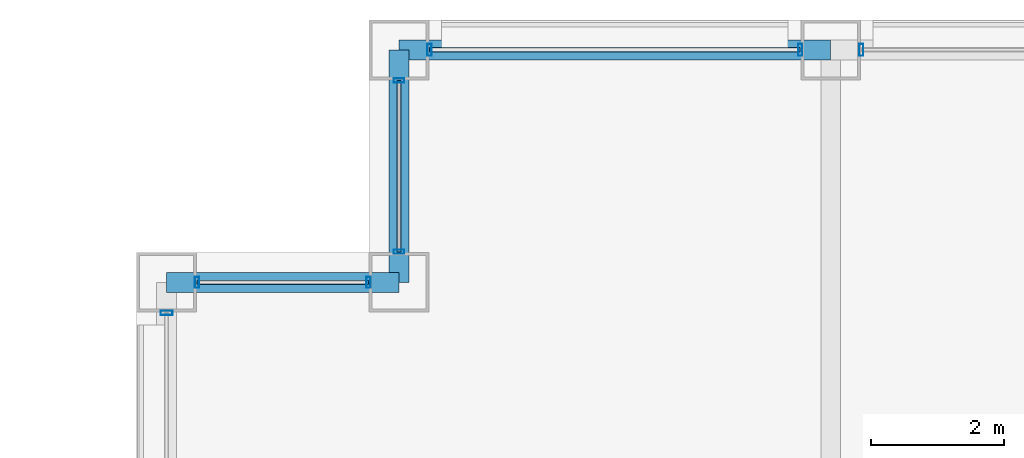
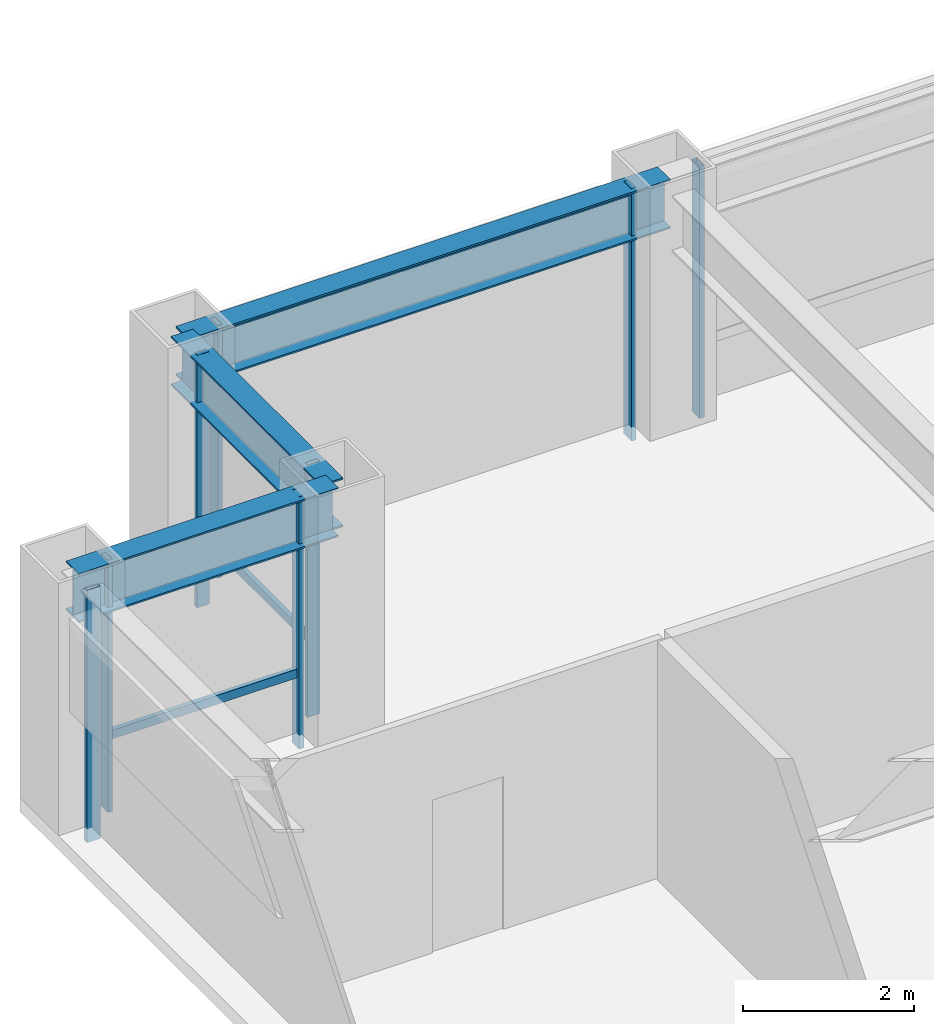
# One storey, part 15 of 28: 11 members, 3 beams, 5 elements without a shape of their own.
"""IFC4 building model written with IfcOpenShell, lengths in metres."""

from ifc_helpers import new_model, si_unit, direction, frame, origin, origin_2d, place, context, subcontext, project, spatial, hollow_rectangle, i_section, extrude, material, layer, layer_set, material_profile, profile_set, type_object, element, aggregate, save


model = new_model("IFC4")

# Units and contexts
model_context = context("Model", 3, precision=1e-05, world=origin(), true_north=direction((0.0, 1.0)))
body_context = subcontext(model_context, "Body", "Model", "MODEL_VIEW")
ifc_project = project(units=[si_unit("LENGTHUNIT", "METRE"), si_unit("AREAUNIT", "SQUARE_METRE"), si_unit("VOLUMEUNIT", "CUBIC_METRE"), si_unit("PLANEANGLEUNIT", "RADIAN"), si_unit("MASSUNIT", "GRAM", prefix="KILO")], contexts=[model_context])

# Site, building, storey
site_placement = place(None, origin())
site = spatial("IfcSite", under=ifc_project, at=site_placement, CompositionType="ELEMENT")
building_placement = place(site_placement, origin())
building = spatial("IfcBuilding", under=site, at=building_placement, Name="Brelmoor Portico Tower", CompositionType="ELEMENT")
storey_placement = place(building_placement, frame((0.0, 0.0, 70.800048828125)))
storey = spatial("IfcBuildingStorey", under=building, at=storey_placement, Name="L18", CompositionType="ELEMENT", Elevation=70.800048828125)

# Beams
ifc_material_1 = material(Name="Steel Q355B", Category="steel")
ifc_material_profile_1 = material_profile(ifc_material_1, i_section(OverallWidth=0.300048828125, OverallDepth=0.699951171875, WebThickness=0.012939453125, FlangeThickness=0.02392578125, at=origin_2d()), Name="HN 700x300x13x24")
ifc_profile_set_1 = profile_set([ifc_material_profile_1], Name="Steel Q355B")
beam_type = type_object("IfcBeamType", Name="BM-SP-700", PredefinedType="SPANDREL", material=ifc_profile_set_1)
beam_1_placement = place(storey_placement, frame((-24.550048828125, 18.050048828125, 3.050048828125), z_axis=(1.0, 0.0, 0.0), x_axis=(0.0, 1.0, 0.0)))
element("IfcBeam", 1, at=beam_1_placement, inside=storey, type_object=beam_type, Name="L18 Perimeter Spandrel Beam SP-08", PredefinedType="SPANDREL", context=body_context, shape_type="SweptSolid", body=[
    extrude(i_section(OverallWidth=0.300048828125, OverallDepth=0.699951171875, WebThickness=0.012939453125, FlangeThickness=0.02392578125, at=origin_2d()), origin(), (0.0, 0.0, 1.0), 3.5),
])
beam_2_placement = place(storey_placement, frame((-21.050048828125, 21.550048828125, 3.050048828125), z_axis=(1.0, 0.0, 0.0), x_axis=(0.0, 1.0, 0.0)))
element("IfcBeam", 2, at=beam_2_placement, inside=storey, type_object=beam_type, Name="L18 Perimeter Spandrel Beam SP-10", PredefinedType="SPANDREL", context=body_context, shape_type="SweptSolid", body=[
    extrude(i_section(OverallWidth=0.300048828125, OverallDepth=0.699951171875, WebThickness=0.012939453125, FlangeThickness=0.02392578125, at=origin_2d()), origin(), (0.0, 0.0, 1.0), 6.5),
])
beam_3_placement = place(storey_placement, frame((-21.050048828125, 18.050048828125, 3.050048828125), z_axis=(0.0, 1.0, 0.0), x_axis=(-1.0, 0.0, 0.0)))
element("IfcBeam", 3, at=beam_3_placement, inside=storey, type_object=beam_type, Name="L18 Perimeter Spandrel Beam SP-19", PredefinedType="SPANDREL", context=body_context, shape_type="SweptSolid", body=[
    extrude(i_section(OverallWidth=0.300048828125, OverallDepth=0.699951171875, WebThickness=0.012939453125, FlangeThickness=0.02392578125, at=origin_2d()), origin(), (0.0, 0.0, 1.0), 3.5),
])

# Curtain wall, members
ifc_material_2 = material(Name="Anodised Aluminium Alloy 6063-T6", Category="aluminium")
ifc_layer_1 = layer(ifc_material_2, 0.179931640625)
ifc_layer_set_1 = layer_set([ifc_layer_1], Name="Anodised Aluminium Alloy 6063-T6")
curtain_wall_type_1 = type_object("IfcCurtainWallType", Name="CW-NOTCH-CHAMFER", PredefinedType="NOTDEFINED", material=ifc_layer_set_1)
curtain_wall_1_placement = place(storey_placement, origin())
curtain_wall_1 = element("IfcCurtainWall", 4, at=curtain_wall_1_placement, inside=storey, type_object=curtain_wall_type_1, Name="L18 Curtain Wall CWN-L18-NWH", PredefinedType="NOTDEFINED")
ifc_material_profile_2 = material_profile(ifc_material_2, hollow_rectangle(XDim=0.06494140625, YDim=0.1650390625, WallThickness=0.00390625, at=origin_2d()), Name="ALU MULLION 65x165")
ifc_profile_set_2 = profile_set([ifc_material_profile_2], Name="Anodised Aluminium Alloy 6063-T6")
member_type_1 = type_object("IfcMemberType", Name="MB-CW-MULL-165", PredefinedType="MULLION", material=ifc_profile_set_2)
member_1_placement = place(storey_placement, frame((-24.090087890625, 18.050048828125, -0.199951171875), z_axis=(0.0, 0.0, 1.0), x_axis=(1.0, 0.0, 0.0)))
member_1 = element("IfcMember", 5, at=member_1_placement, type_object=member_type_1, Name="CWN-L18-NWH Mullion 00", PredefinedType="MULLION", context=body_context, shape_type="SweptSolid", body=[
    extrude(hollow_rectangle(XDim=0.06494140625, YDim=0.1650390625, WallThickness=0.00390625, at=origin_2d()), origin(), (0.0, 0.0, 1.0), 3.599853515625),
])
member_2_placement = place(storey_placement, frame((-21.510009765625, 18.050048828125, -0.199951171875), z_axis=(0.0, 0.0, 1.0), x_axis=(1.0, 0.0, 0.0)))
member_2 = element("IfcMember", 6, at=member_2_placement, type_object=member_type_1, Name="CWN-L18-NWH Mullion 01", PredefinedType="MULLION", context=body_context, shape_type="SweptSolid", body=[
    extrude(hollow_rectangle(XDim=0.06494140625, YDim=0.1650390625, WallThickness=0.00390625, at=origin_2d()), origin(), (0.0, 0.0, 1.0), 3.599853515625),
])

curtain_wall_2_placement = place(storey_placement, origin())
curtain_wall_2 = element("IfcCurtainWall", 7, at=curtain_wall_2_placement, inside=storey, type_object=curtain_wall_type_1, Name="L18 Curtain Wall CWN-L18-NWV", PredefinedType="NOTDEFINED")
member_3_placement = place(storey_placement, frame((-21.050048828125, 18.510009765625, -0.199951171875), z_axis=(0.0, 0.0, 1.0), x_axis=(0.0, 1.0, 0.0)))
member_3 = element("IfcMember", 8, at=member_3_placement, type_object=member_type_1, Name="CWN-L18-NWV Mullion 00", PredefinedType="MULLION", context=body_context, shape_type="SweptSolid", body=[
    extrude(hollow_rectangle(XDim=0.06494140625, YDim=0.1650390625, WallThickness=0.00390625, at=origin_2d()), origin(), (0.0, 0.0, 1.0), 3.599853515625),
])
member_4_placement = place(storey_placement, frame((-21.050048828125, 21.090087890625, -0.199951171875), z_axis=(0.0, 0.0, 1.0), x_axis=(0.0, 1.0, 0.0)))
member_4 = element("IfcMember", 9, at=member_4_placement, type_object=member_type_1, Name="CWN-L18-NWV Mullion 01", PredefinedType="MULLION", context=body_context, shape_type="SweptSolid", body=[
    extrude(hollow_rectangle(XDim=0.06494140625, YDim=0.1650390625, WallThickness=0.00390625, at=origin_2d()), origin(), (0.0, 0.0, 1.0), 3.599853515625),
])

ifc_layer_2 = layer(ifc_material_2, 0.179931640625)
ifc_layer_set_2 = layer_set([ifc_layer_2], Name="Anodised Aluminium Alloy 6063-T6")
curtain_wall_type_2 = type_object("IfcCurtainWallType", Name="CW-TOWER-Z1-XB", PredefinedType="NOTDEFINED", material=ifc_layer_set_2)
curtain_wall_3_placement = place(storey_placement, origin())
curtain_wall_3 = element("IfcCurtainWall", 10, at=curtain_wall_3_placement, inside=storey, type_object=curtain_wall_type_2, Name="L18 Curtain Wall CW-L18-02-1", PredefinedType="NOTDEFINED")
ifc_material_profile_3 = material_profile(ifc_material_2, hollow_rectangle(XDim=0.06494140625, YDim=0.179931640625, WallThickness=0.00390625, at=origin_2d()), Name="ALU MULLION 65x180")
ifc_profile_set_3 = profile_set([ifc_material_profile_3], Name="Anodised Aluminium Alloy 6063-T6")
member_type_2 = type_object("IfcMemberType", Name="MB-CW-MULL-180", PredefinedType="MULLION", material=ifc_profile_set_3)
member_5_placement = place(storey_placement, frame((-20.590087890625, 21.550048828125, -0.199951171875), z_axis=(0.0, 0.0, 1.0), x_axis=(1.0, 0.0, 0.0)))
member_5 = element("IfcMember", 11, at=member_5_placement, type_object=member_type_2, Name="CW-L18-02-1 Mullion 00", PredefinedType="MULLION", context=body_context, shape_type="SweptSolid", body=[
    extrude(hollow_rectangle(XDim=0.06494140625, YDim=0.179931640625, WallThickness=0.00390625, at=origin_2d()), origin(), (0.0, 0.0, 1.0), 3.599853515625),
])
member_6_placement = place(storey_placement, frame((-15.010009765625, 21.550048828125, -0.199951171875), z_axis=(0.0, 0.0, 1.0), x_axis=(1.0, 0.0, 0.0)))
member_6 = element("IfcMember", 12, at=member_6_placement, type_object=member_type_2, Name="CW-L18-02-1 Mullion 01", PredefinedType="MULLION", context=body_context, shape_type="SweptSolid", body=[
    extrude(hollow_rectangle(XDim=0.06494140625, YDim=0.179931640625, WallThickness=0.00390625, at=origin_2d()), origin(), (0.0, 0.0, 1.0), 3.599853515625),
])

# Curtain wall, member
ifc_layer_3 = layer(ifc_material_2, 0.179931640625)
ifc_layer_set_3 = layer_set([ifc_layer_3], Name="Anodised Aluminium Alloy 6063-T6")
curtain_wall_type_3 = type_object("IfcCurtainWallType", Name="CW-TOWER-Z1", PredefinedType="NOTDEFINED", material=ifc_layer_set_3)
curtain_wall_4_placement = place(storey_placement, origin())
curtain_wall_4 = element("IfcCurtainWall", 13, at=curtain_wall_4_placement, inside=storey, type_object=curtain_wall_type_3, Name="L18 Curtain Wall CW-L18-02-2", PredefinedType="NOTDEFINED")
member_7_placement = place(storey_placement, frame((-14.090087890625, 21.550048828125, -0.199951171875), z_axis=(0.0, 0.0, 1.0), x_axis=(1.0, 0.0, 0.0)))
member_7 = element("IfcMember", 14, at=member_7_placement, type_object=member_type_2, Name="CW-L18-02-2 Mullion 00", PredefinedType="MULLION", context=body_context, shape_type="SweptSolid", body=[
    extrude(hollow_rectangle(XDim=0.06494140625, YDim=0.179931640625, WallThickness=0.00390625, at=origin_2d()), origin(), (0.0, 0.0, 1.0), 3.599853515625),
])
aggregate(curtain_wall_4, [member_7])

curtain_wall_5_placement = place(storey_placement, origin())
curtain_wall_5 = element("IfcCurtainWall", 15, at=curtain_wall_5_placement, inside=storey, type_object=curtain_wall_type_2, Name="L18 Curtain Wall CW-L18-3R-2", PredefinedType="NOTDEFINED")
member_8_placement = place(storey_placement, frame((-24.550048828125, 17.590087890625, -0.199951171875), z_axis=(0.0, 0.0, 1.0), x_axis=(0.0, 1.0, 0.0)))
member_8 = element("IfcMember", 16, at=member_8_placement, type_object=member_type_2, Name="CW-L18-3R-2 Mullion 01", PredefinedType="MULLION", context=body_context, shape_type="SweptSolid", body=[
    extrude(hollow_rectangle(XDim=0.06494140625, YDim=0.179931640625, WallThickness=0.00390625, at=origin_2d()), origin(), (0.0, 0.0, 1.0), 3.599853515625),
])
aggregate(curtain_wall_5, [member_8])

# Member
ifc_material_profile_4 = material_profile(ifc_material_2, hollow_rectangle(XDim=0.06005859375, YDim=0.125, WallThickness=0.00341796875, at=origin_2d()), Name="ALU TRANSOM 60x125")
ifc_profile_set_4 = profile_set([ifc_material_profile_4], Name="Anodised Aluminium Alloy 6063-T6")
member_type_3 = type_object("IfcMemberType", Name="MB-CW-TRAN-125", PredefinedType="USERDEFINED", material=ifc_profile_set_4)
member_9_placement = place(storey_placement, frame((-24.090087890625, 18.050048828125, 0.849853515625), z_axis=(1.0, 0.0, 0.0), x_axis=(0.0, 1.0, 0.0)))
member_9 = element("IfcMember", 17, at=member_9_placement, type_object=member_type_3, Name="CWN-L18-NWH Transom 1-00", ObjectType="TRANSOM", PredefinedType="USERDEFINED", context=body_context, shape_type="SweptSolid", body=[
    extrude(hollow_rectangle(XDim=0.06005859375, YDim=0.125, WallThickness=0.00341796875, at=origin_2d()), origin(), (0.0, 0.0, 1.0), 2.580078125),
])

aggregate(curtain_wall_1, [member_1, member_2, member_9])

member_10_placement = place(storey_placement, frame((-21.050048828125, 18.510009765625, 0.849853515625), z_axis=(0.0, 1.0, 0.0), x_axis=(-1.0, 0.0, 0.0)))
member_10 = element("IfcMember", 18, at=member_10_placement, type_object=member_type_3, Name="CWN-L18-NWV Transom 1-00", ObjectType="TRANSOM", PredefinedType="USERDEFINED", context=body_context, shape_type="SweptSolid", body=[
    extrude(hollow_rectangle(XDim=0.06005859375, YDim=0.125, WallThickness=0.00341796875, at=origin_2d()), origin(), (0.0, 0.0, 1.0), 2.580078125),
])

aggregate(curtain_wall_2, [member_3, member_4, member_10])

ifc_material_profile_5 = material_profile(ifc_material_2, hollow_rectangle(XDim=0.06494140625, YDim=0.139892578125, WallThickness=0.00390625, at=origin_2d()), Name="ALU TRANSOM 65x140")
ifc_profile_set_5 = profile_set([ifc_material_profile_5], Name="Anodised Aluminium Alloy 6063-T6")
member_type_4 = type_object("IfcMemberType", Name="MB-CW-TRAN-140", PredefinedType="USERDEFINED", material=ifc_profile_set_5)
member_11_placement = place(storey_placement, frame((-20.590087890625, 21.550048828125, 3.329833984375), z_axis=(1.0, 0.0, 0.0), x_axis=(0.0, 1.0, 0.0)))
member_11 = element("IfcMember", 19, at=member_11_placement, type_object=member_type_4, Name="CW-L18-02-1 Transom 1-00", ObjectType="TRANSOM", PredefinedType="USERDEFINED", context=body_context, shape_type="SweptSolid", body=[
    extrude(hollow_rectangle(XDim=0.06494140625, YDim=0.139892578125, WallThickness=0.00390625, at=origin_2d()), origin(), (0.0, 0.0, 1.0), 5.580078125),
])

aggregate(curtain_wall_3, [member_5, member_6, member_11])

save(model, "model.ifc")
